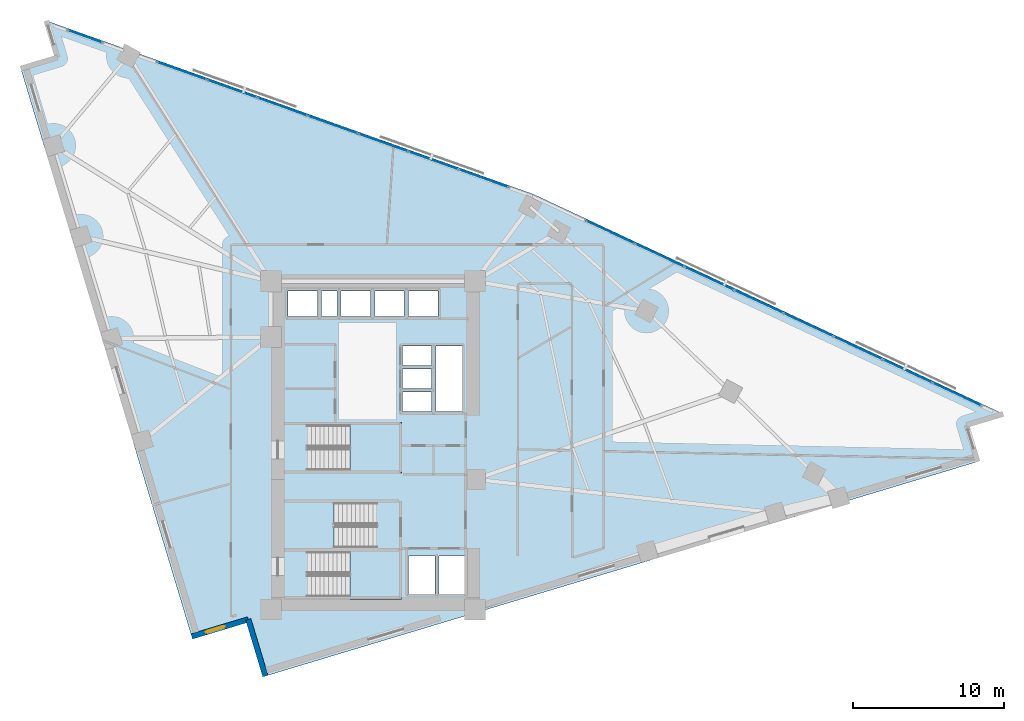
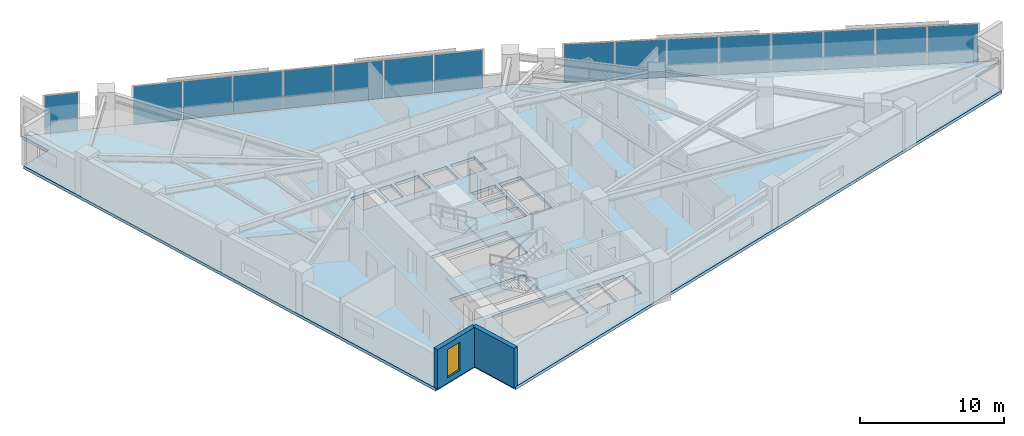
# One storey, part 9 of 16: 16 plates, 4 slabs, 2 walls, 1 window, 1 opening, 6 elements without a shape of their own.
"""IFC4 building model written with IfcOpenShell, lengths in metres."""

from ifc_helpers import new_model, si_unit, direction, frame, frame_2d, origin, origin_2d, place, context, subcontext, project, spatial, polyline, rectangle, outline, extrude, material, layer, layer_set, type_object, element, fill, aggregate, save


model = new_model("IFC4")

# Units and contexts
model_context = context("Model", 3, precision=1e-05, world=origin(), true_north=direction((0.0, 1.0)))
body_context = subcontext(model_context, "Body", "Model", "MODEL_VIEW")
ifc_project = project(units=[si_unit("LENGTHUNIT", "METRE"), si_unit("AREAUNIT", "SQUARE_METRE"), si_unit("VOLUMEUNIT", "CUBIC_METRE"), si_unit("PLANEANGLEUNIT", "RADIAN"), si_unit("MASSUNIT", "GRAM", prefix="KILO")], contexts=[model_context])

# Site, building, storey
site_placement = place(None, origin())
site = spatial("IfcSite", under=ifc_project, at=site_placement, CompositionType="ELEMENT")
building_placement = place(site_placement, origin())
building = spatial("IfcBuilding", under=site, at=building_placement, Name="Narakoshi Arena Tower", CompositionType="ELEMENT")
storey_placement = place(building_placement, frame((0.0, 0.0, 153.89990234375)))
storey = spatial("IfcBuildingStorey", under=building, at=storey_placement, Name="L41", CompositionType="ELEMENT", Elevation=153.89990234375)

# Curtain wall, plates
ifc_material_1 = material(Name="Anodised bronze aluminium 6063-T6", Category="aluminium")
curtain_wall_type = type_object("IfcCurtainWallType", Name="CW-HYP-MID", PredefinedType="NOTDEFINED", material=ifc_material_1)
curtain_wall_1_placement = place(storey_placement, origin())
curtain_wall_1 = element("IfcCurtainWall", 1, at=curtain_wall_1_placement, inside=storey, type_object=curtain_wall_type, Name="L41 Folded Hypotenuse Curtain Wall 1-1", PredefinedType="NOTDEFINED")
ifc_material_2 = material(Name="Bronze-tinted low-E laminated glass", Category="glass")
ifc_layer_1 = layer(ifc_material_2, 0.0380859375)
ifc_layer_set_1 = layer_set([ifc_layer_1], Name="Bronze-tinted low-E laminated glass")
plate_type = type_object("IfcPlateType", Name="PLT-GLZ-38", PredefinedType="CURTAIN_PANEL", material=ifc_layer_set_1)
plate_1_placement = place(storey_placement, frame((117.545166015625, 49.0, 0.065185546875), z_axis=(0.0, 0.0, 1.0), x_axis=(-0.905881273009, 0.423531721612, 0.0)))
plate_1 = element("IfcPlate", 2, at=plate_1_placement, type_object=plate_type, Name="CW-02 panel 1.1", PredefinedType="CURTAIN_PANEL", context=body_context, shape_type="SweptSolid", body=[
    extrude(rectangle(XDim=3.52099609375, YDim=0.0380859375, at=origin_2d()), origin(), (0.0, 0.0, 1.0), 3.2099609375),
])
plate_2_placement = place(storey_placement, frame((114.270751953125, 50.531005859375, 0.065185546875), z_axis=(0.0, 0.0, 1.0), x_axis=(-0.905881273009, 0.423531721612, 0.0)))
plate_2 = element("IfcPlate", 3, at=plate_2_placement, type_object=plate_type, Name="CW-02 panel 2.1", PredefinedType="CURTAIN_PANEL", context=body_context, shape_type="SweptSolid", body=[
    extrude(rectangle(XDim=3.558349609375, YDim=0.0380859375, at=origin_2d()), origin(), (0.0, 0.0, 1.0), 3.2099609375),
])
plate_3_placement = place(storey_placement, frame((110.979248046875, 52.06982421875, 0.065185546875), z_axis=(0.0, 0.0, 1.0), x_axis=(-0.905881273009, 0.423531721612, 0.0)))
plate_3 = element("IfcPlate", 4, at=plate_3_placement, type_object=plate_type, Name="CW-02 panel 3.1", PredefinedType="CURTAIN_PANEL", context=body_context, shape_type="SweptSolid", body=[
    extrude(rectangle(XDim=3.558349609375, YDim=0.0380859375, at=origin_2d()), origin(), (0.0, 0.0, 1.0), 3.2099609375),
])
plate_4_placement = place(storey_placement, frame((107.687744140625, 53.60888671875, 0.065185546875), z_axis=(0.0, 0.0, 1.0), x_axis=(-0.905881273009, 0.423531721612, 0.0)))
plate_4 = element("IfcPlate", 5, at=plate_4_placement, type_object=plate_type, Name="CW-02 panel 4.1", PredefinedType="CURTAIN_PANEL", context=body_context, shape_type="SweptSolid", body=[
    extrude(rectangle(XDim=3.558349609375, YDim=0.0380859375, at=origin_2d()), origin(), (0.0, 0.0, 1.0), 3.2099609375),
])
plate_5_placement = place(storey_placement, frame((104.396240234375, 55.147705078125, 0.065185546875), z_axis=(0.0, 0.0, 1.0), x_axis=(-0.905881273009, 0.423531721612, 0.0)))
plate_5 = element("IfcPlate", 6, at=plate_5_placement, type_object=plate_type, Name="CW-02 panel 5.1", PredefinedType="CURTAIN_PANEL", context=body_context, shape_type="SweptSolid", body=[
    extrude(rectangle(XDim=3.558349609375, YDim=0.0380859375, at=origin_2d()), origin(), (0.0, 0.0, 1.0), 3.2099609375),
])
plate_6_placement = place(storey_placement, frame((101.104736328125, 56.6865234375, 0.065185546875), z_axis=(0.0, 0.0, 1.0), x_axis=(-0.905881273009, 0.423531721612, 0.0)))
plate_6 = element("IfcPlate", 7, at=plate_6_placement, type_object=plate_type, Name="CW-02 panel 6.1", PredefinedType="CURTAIN_PANEL", context=body_context, shape_type="SweptSolid", body=[
    extrude(rectangle(XDim=3.558349609375, YDim=0.0380859375, at=origin_2d()), origin(), (0.0, 0.0, 1.0), 3.2099609375),
])
plate_7_placement = place(storey_placement, frame((97.813232421875, 58.2255859375, 0.065185546875), z_axis=(0.0, 0.0, 1.0), x_axis=(-0.905881273009, 0.423531721612, 0.0)))
plate_7 = element("IfcPlate", 8, at=plate_7_placement, type_object=plate_type, Name="CW-02 panel 7.1", PredefinedType="CURTAIN_PANEL", context=body_context, shape_type="SweptSolid", body=[
    extrude(rectangle(XDim=3.558349609375, YDim=0.0380859375, at=origin_2d()), origin(), (0.0, 0.0, 1.0), 3.2099609375),
])
plate_8_placement = place(storey_placement, frame((94.538818359375, 59.75634765625, 0.065185546875), z_axis=(0.0, 0.0, 1.0), x_axis=(-0.905881273009, 0.423531721612, 0.0)))
plate_8 = element("IfcPlate", 9, at=plate_8_placement, type_object=plate_type, Name="CW-02 panel 8.1", PredefinedType="CURTAIN_PANEL", context=body_context, shape_type="SweptSolid", body=[
    extrude(rectangle(XDim=3.52099609375, YDim=0.0380859375, at=origin_2d()), origin(), (0.0, 0.0, 1.0), 3.2099609375),
])
aggregate(curtain_wall_1, [plate_1, plate_2, plate_3, plate_4, plate_5, plate_6, plate_7, plate_8])

curtain_wall_2_placement = place(storey_placement, origin())
curtain_wall_2 = element("IfcCurtainWall", 10, at=curtain_wall_2_placement, inside=storey, type_object=curtain_wall_type, Name="L41 Folded Hypotenuse Curtain Wall 2-1", PredefinedType="NOTDEFINED")
plate_9_placement = place(storey_placement, frame((86.125244140625, 63.327880859375, 0.065185546875), z_axis=(0.0, 0.0, 1.0), x_axis=(-0.94203368957, 0.335518297139, 0.0)))
plate_9 = element("IfcPlate", 11, at=plate_9_placement, type_object=plate_type, Name="CW-02 panel 1.1", PredefinedType="CURTAIN_PANEL", context=body_context, shape_type="SweptSolid", body=[
    extrude(rectangle(XDim=3.437744140625, YDim=0.0380859375, at=origin_2d()), origin(), (0.0, 0.0, 1.0), 3.2099609375),
])
plate_10_placement = place(storey_placement, frame((82.79833984375, 64.512939453125, 0.065185546875), z_axis=(0.0, 0.0, 1.0), x_axis=(-0.94203368957, 0.335518297139, 0.0)))
plate_10 = element("IfcPlate", 12, at=plate_10_placement, type_object=plate_type, Name="CW-02 panel 2.1", PredefinedType="CURTAIN_PANEL", context=body_context, shape_type="SweptSolid", body=[
    extrude(rectangle(XDim=3.475341796875, YDim=0.0380859375, at=origin_2d()), origin(), (0.0, 0.0, 1.0), 3.2099609375),
])
plate_11_placement = place(storey_placement, frame((79.453857421875, 65.7041015625, 0.065185546875), z_axis=(0.0, 0.0, 1.0), x_axis=(-0.94203368957, 0.335518297139, 0.0)))
plate_11 = element("IfcPlate", 13, at=plate_11_placement, type_object=plate_type, Name="CW-02 panel 3.1", PredefinedType="CURTAIN_PANEL", context=body_context, shape_type="SweptSolid", body=[
    extrude(rectangle(XDim=3.475341796875, YDim=0.0380859375, at=origin_2d()), origin(), (0.0, 0.0, 1.0), 3.2099609375),
])
plate_12_placement = place(storey_placement, frame((76.109130859375, 66.895263671875, 0.065185546875), z_axis=(0.0, 0.0, 1.0), x_axis=(-0.94203368957, 0.335518297139, 0.0)))
plate_12 = element("IfcPlate", 14, at=plate_12_placement, type_object=plate_type, Name="CW-02 panel 4.1", PredefinedType="CURTAIN_PANEL", context=body_context, shape_type="SweptSolid", body=[
    extrude(rectangle(XDim=3.475341796875, YDim=0.0380859375, at=origin_2d()), origin(), (0.0, 0.0, 1.0), 3.2099609375),
])
plate_13_placement = place(storey_placement, frame((72.7646484375, 68.08642578125, 0.065185546875), z_axis=(0.0, 0.0, 1.0), x_axis=(-0.94203368957, 0.335518297139, 0.0)))
plate_13 = element("IfcPlate", 15, at=plate_13_placement, type_object=plate_type, Name="CW-02 panel 5.1", PredefinedType="CURTAIN_PANEL", context=body_context, shape_type="SweptSolid", body=[
    extrude(rectangle(XDim=3.475341796875, YDim=0.0380859375, at=origin_2d()), origin(), (0.0, 0.0, 1.0), 3.2099609375),
])
plate_14_placement = place(storey_placement, frame((69.420166015625, 69.277587890625, 0.065185546875), z_axis=(0.0, 0.0, 1.0), x_axis=(-0.94203368957, 0.335518297139, 0.0)))
plate_14 = element("IfcPlate", 16, at=plate_14_placement, type_object=plate_type, Name="CW-02 panel 6.1", PredefinedType="CURTAIN_PANEL", context=body_context, shape_type="SweptSolid", body=[
    extrude(rectangle(XDim=3.475341796875, YDim=0.0380859375, at=origin_2d()), origin(), (0.0, 0.0, 1.0), 3.2099609375),
])
plate_15_placement = place(storey_placement, frame((66.09326171875, 70.462646484375, 0.065185546875), z_axis=(0.0, 0.0, 1.0), x_axis=(-0.94203368957, 0.335518297139, 0.0)))
plate_15 = element("IfcPlate", 17, at=plate_15_placement, type_object=plate_type, Name="CW-02 panel 7.1", PredefinedType="CURTAIN_PANEL", context=body_context, shape_type="SweptSolid", body=[
    extrude(rectangle(XDim=3.437744140625, YDim=0.0380859375, at=origin_2d()), origin(), (0.0, 0.0, 1.0), 3.2099609375),
])
aggregate(curtain_wall_2, [plate_9, plate_10, plate_11, plate_12, plate_13, plate_14, plate_15])

# Curtain wall, plate
curtain_wall_3_placement = place(storey_placement, origin())
curtain_wall_3 = element("IfcCurtainWall", 18, at=curtain_wall_3_placement, inside=storey, type_object=curtain_wall_type, Name="L41 Folded Hypotenuse Curtain Wall 2-2", PredefinedType="NOTDEFINED")
plate_16_placement = place(storey_placement, frame((59.671142578125, 72.75, 0.065185546875), z_axis=(0.0, 0.0, 1.0), x_axis=(-0.942025293591, 0.335541869571, 0.0)))
plate_16 = element("IfcPlate", 19, at=plate_16_placement, type_object=plate_type, Name="CW-02 panel 1.1", PredefinedType="CURTAIN_PANEL", context=body_context, shape_type="SweptSolid", body=[
    extrude(rectangle(XDim=2.3779296875, YDim=0.0380859375, at=origin_2d()), origin(), (0.0, 0.0, 1.0), 3.2099609375),
])
aggregate(curtain_wall_3, [plate_16])

# Stair, slab
ifc_material_3 = material(Name="Concrete C45/55", Category="concrete")
stair_type = type_object("IfcStairType", Name="STR-CORE-360", PredefinedType="TWO_STRAIGHT_RUN_STAIR", material=ifc_material_3)
stair_1_placement = place(storey_placement, origin())
stair_1 = element("IfcStair", 20, at=stair_1_placement, inside=storey, type_object=stair_type, Name="L41 Core Escape Stair ST1", PredefinedType="TWO_STRAIGHT_RUN_STAIR")
ifc_layer_2 = layer(ifc_material_3, 0.18994140625)
ifc_layer_set_2 = layer_set([ifc_layer_2], Name="Concrete C45/55")
slab_type_1 = type_object("IfcSlabType", Name="SLB-LND-190", PredefinedType="LANDING", material=ifc_layer_set_2)
slab_1_placement = place(storey_placement, frame((0.0, 0.0, 1.610107421875)))
slab_1 = element("IfcSlab", 21, at=slab_1_placement, type_object=slab_type_1, Name="ST1 landing 1", PredefinedType="LANDING", context=body_context, shape_type="SweptSolid", body=[
    extrude(outline(polyline([(77.25, 35.3701171875), (80.679931640625, 35.3701171875), (80.679931640625, 38.72998046875), (77.25, 38.72998046875), (77.25, 35.3701171875)])), origin(), (0.0, 0.0, 1.0), 0.18994140625),
])
aggregate(stair_1, [slab_1])

stair_2_placement = place(storey_placement, origin())
stair_2 = element("IfcStair", 22, at=stair_2_placement, inside=storey, type_object=stair_type, Name="L41 Core Escape Stair ST2", PredefinedType="TWO_STRAIGHT_RUN_STAIR")
slab_2_placement = place(storey_placement, frame((0.0, 0.0, 1.610107421875)))
slab_2 = element("IfcSlab", 23, at=slab_2_placement, type_object=slab_type_1, Name="ST2 landing 1", PredefinedType="LANDING", context=body_context, shape_type="SweptSolid", body=[
    extrude(outline(polyline([(72.77001953125, 38.6201171875), (76.199951171875, 38.6201171875), (76.199951171875, 41.97998046875), (72.77001953125, 41.97998046875), (72.77001953125, 38.6201171875)])), origin(), (0.0, 0.0, 1.0), 0.18994140625),
])
aggregate(stair_2, [slab_2])

stair_3_placement = place(storey_placement, origin())
stair_3 = element("IfcStair", 24, at=stair_3_placement, inside=storey, type_object=stair_type, Name="L41 Core Escape Stair ST3", PredefinedType="TWO_STRAIGHT_RUN_STAIR")
slab_3_placement = place(storey_placement, frame((0.0, 0.0, 1.610107421875)))
slab_3 = element("IfcSlab", 25, at=slab_3_placement, type_object=slab_type_1, Name="ST3 landing 1", PredefinedType="LANDING", context=body_context, shape_type="SweptSolid", body=[
    extrude(outline(polyline([(77.25, 43.77001953125), (80.679931640625, 43.77001953125), (80.679931640625, 47.1298828125), (77.25, 47.1298828125), (77.25, 43.77001953125)])), origin(), (0.0, 0.0, 1.0), 0.18994140625),
])
aggregate(stair_3, [slab_3])

# Slab
ifc_material_4 = material(Name="Concrete C50/60", Category="concrete")
ifc_layer_3 = layer(ifc_material_4, 0.260009765625)
ifc_layer_set_3 = layer_set([ifc_layer_3], Name="Concrete C50/60")
slab_type_2 = type_object("IfcSlabType", Name="SLB-SKY-260", PredefinedType="FLOOR", material=ifc_layer_set_3)
slab_4_placement = place(storey_placement, frame((0.0, 0.0, -0.260009765625)))
element("IfcSlab", 26, at=slab_4_placement, inside=storey, type_object=slab_type_2, Name="L41 Structural Floor Slab", PredefinedType="FLOOR", context=body_context, shape_type="SweptSolid", body=[
    extrude(outline(polyline([(71.635498046875, 30.28857421875), (118.908935546875, 44.51611328125), (118.17333984375, 46.96044921875), (120.61767578125, 47.696044921875), (89.422119140625, 62.281005859375), (57.107666015625, 73.790283203125), (57.84326171875, 71.34619140625), (55.39892578125, 70.610595703125), (66.743408203125, 32.917236328125), (70.50390625, 34.048828125), (71.635498046875, 30.28857421875)]), holes=[polyline([(80.5, 35.550048828125), (74.47998046875, 35.550048828125), (74.47998046875, 38.550048828125), (80.5, 38.550048828125), (80.5, 35.550048828125)]), polyline([(82.89990234375, 35.75), (81.14990234375, 35.75), (81.14990234375, 38.25), (82.89990234375, 38.25), (82.89990234375, 35.75)]), polyline([(83.14990234375, 35.75), (83.14990234375, 38.25), (84.89990234375, 38.25), (84.89990234375, 35.75), (83.14990234375, 35.75)]), polyline([(72.949951171875, 38.800048828125), (72.949951171875, 41.800048828125), (78.969970703125, 41.800048828125), (78.969970703125, 38.800048828125), (72.949951171875, 38.800048828125)]), polyline([(74.47998046875, 43.949951171875), (74.47998046875, 46.949951171875), (80.5, 46.949951171875), (80.5, 43.949951171875), (74.47998046875, 43.949951171875)]), polyline([(82.949951171875, 47.840087890625), (82.949951171875, 52.199951171875), (84.699951171875, 52.199951171875), (84.699951171875, 47.840087890625), (82.949951171875, 47.840087890625)]), polyline([(80.75, 47.85009765625), (80.75, 49.14990234375), (82.64990234375, 49.14990234375), (82.64990234375, 47.85009765625), (80.75, 47.85009765625)]), polyline([(80.75, 49.3701171875), (80.75, 50.669921875), (82.64990234375, 50.669921875), (82.64990234375, 49.3701171875), (80.75, 49.3701171875)]), polyline([(80.75, 50.889892578125), (80.75, 52.18994140625), (82.64990234375, 52.18994140625), (82.64990234375, 50.889892578125), (80.75, 50.889892578125)]), polyline([(73.14990234375, 54.14990234375), (73.14990234375, 55.85009765625), (75.10009765625, 55.85009765625), (75.10009765625, 54.14990234375), (73.14990234375, 54.14990234375)]), polyline([(75.35009765625, 54.14990234375), (75.35009765625, 55.85009765625), (76.39990234375, 55.85009765625), (76.39990234375, 54.14990234375), (75.35009765625, 54.14990234375)]), polyline([(76.64990234375, 54.14990234375), (76.64990234375, 55.85009765625), (78.60009765625, 55.85009765625), (78.60009765625, 54.14990234375), (76.64990234375, 54.14990234375)]), polyline([(78.89990234375, 54.14990234375), (78.89990234375, 55.85009765625), (80.85009765625, 55.85009765625), (80.85009765625, 54.14990234375), (78.89990234375, 54.14990234375)]), polyline([(81.14990234375, 54.14990234375), (81.14990234375, 55.85009765625), (83.10009765625, 55.85009765625), (83.10009765625, 54.14990234375), (81.14990234375, 54.14990234375)])]), origin(), (0.0, 0.0, 1.0), 0.260009765625),
])

# Wall, opening, window
ifc_material_5 = material(Name="Precast concrete C45/55", Category="concrete")
ifc_layer_4 = layer(ifc_material_5, 0.419921875)
ifc_layer_set_4 = layer_set([ifc_layer_4], Name="Precast concrete C45/55")
wall_type = type_object("IfcWallType", Name="WL-POD-420", PredefinedType="SOLIDWALL", material=ifc_layer_set_4)
wall_1_placement = place(storey_placement, frame((66.743408203125, 32.917236328125, 0.0), z_axis=(0.0, 0.0, 1.0), x_axis=(0.957584687378, 0.288151985068, 0.0)))
wall_1 = element("IfcWall", 27, at=wall_1_placement, inside=storey, type_object=wall_type, Name="L41 Re-Entrant Corner Notch Wall NTA-1", PredefinedType="SOLIDWALL", context=body_context, shape_type="SweptSolid", body=[
    extrude(rectangle(XDim=3.927001953125, YDim=0.360107421875, at=frame_2d((1.96337890625, 0.0))), origin(), (0.0, 0.0, 1.0), 3.340087890625),
])
opening_placement = place(wall_1_placement, frame((0.989013671875, 0.0, 0.449951171875)))
opening = element("IfcOpeningElement", 28, at=opening_placement, cuts=wall_1, Name="Opening WN-06", PredefinedType="OPENING", context=body_context, shape_type="SweptSolid", body=[
    extrude(rectangle(XDim=1.300048828125, YDim=2.39990234375, at=frame_2d((0.64990234375, 1.199951171875))), frame((0.0, 0.18994140625, 0.0), z_axis=(0.0, -1.0, 0.0), x_axis=(1.0, 0.0, 0.0)), (0.0, 0.0, 1.0), 0.380126953125),
])
window_type = type_object("IfcWindowType", Name="WIN-NTC-16x24", PartitioningType="SINGLE_PANEL", PredefinedType="WINDOW", material=ifc_material_2)
window_placement = place(opening_placement, origin())
window = element("IfcWindow", 29, at=window_placement, inside=storey, type_object=window_type, Name="L41 Corner Notch Window NTA", OverallHeight=2.39990234375, OverallWidth=1.300048828125, PartitioningType="SINGLE_PANEL", PredefinedType="WINDOW", context=body_context, shape_type="SweptSolid", body=[
    extrude(rectangle(XDim=1.300048828125, YDim=2.39990234375, at=frame_2d((0.64990234375, 1.199951171875))), frame((0.0, 0.030029296875, 0.0), z_axis=(0.0, -1.0, 0.0), x_axis=(1.0, 0.0, 0.0)), (0.0, 0.0, 1.0), 0.06005859375),
])
fill(opening, window)

# Wall
wall_2_placement = place(storey_placement, frame((70.50390625, 34.048828125, 0.0), z_axis=(0.0, 0.0, 1.0), x_axis=(0.288169140251, -0.957579524952, 0.0)))
element("IfcWall", 30, at=wall_2_placement, inside=storey, type_object=wall_type, Name="L41 Re-Entrant Corner Notch Wall NTA-2", PredefinedType="SOLIDWALL", context=body_context, shape_type="SweptSolid", body=[
    extrude(rectangle(XDim=3.9267578125, YDim=0.360107421875, at=frame_2d((1.96337890625, 0.0))), origin(), (0.0, 0.0, 1.0), 3.340087890625),
])

save(model, "model.ifc")
